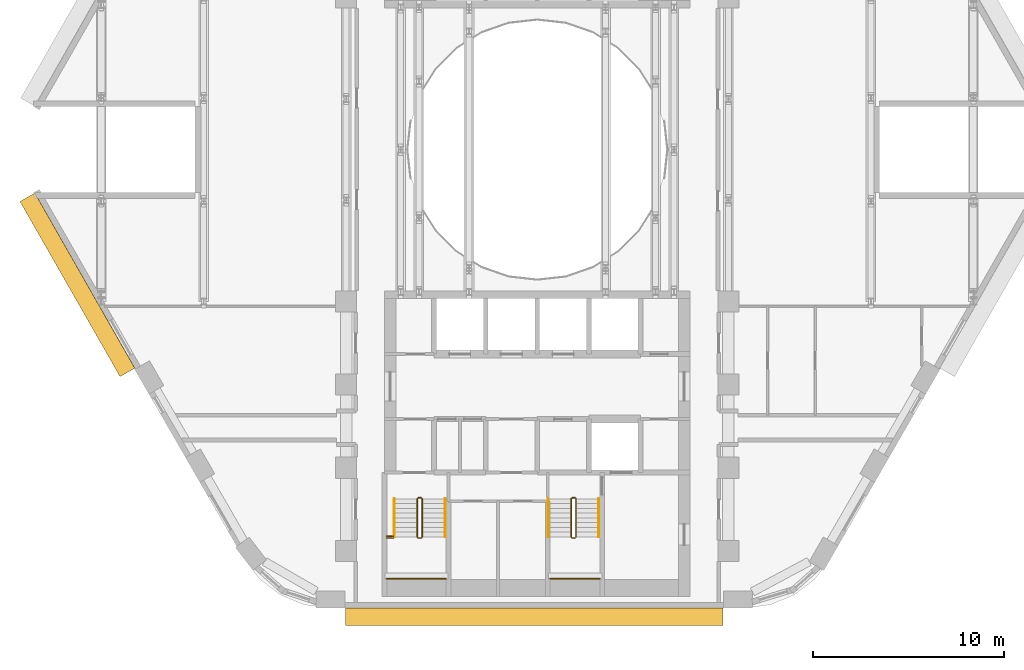
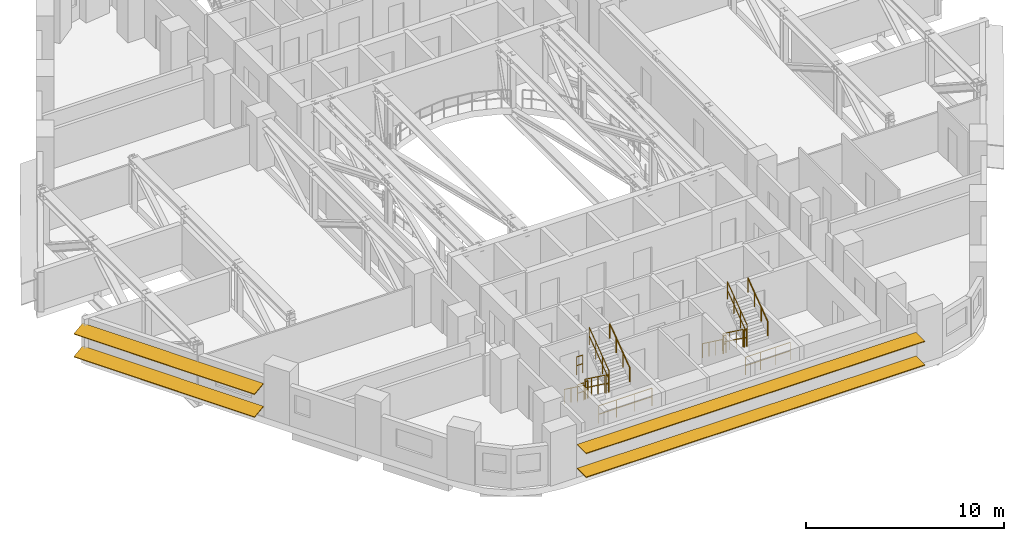
# One storey, part 16 of 18: 16 railings, 4 shading devices.
"""IFC4 building model written with IfcOpenShell, lengths in metres."""

from ifc_helpers import new_model, si_unit, direction, frame, origin, origin_2d, place, context, subcontext, project, spatial, rectangle, circle, extrude, material, material_profile, profile_set, type_object, element, save


model = new_model("IFC4")

# Units and contexts
model_context = context("Model", 3, precision=1e-05, world=origin(), true_north=direction((0.0, 1.0)))
body_context = subcontext(model_context, "Body", "Model", "MODEL_VIEW")
ifc_project = project(units=[si_unit("LENGTHUNIT", "METRE"), si_unit("AREAUNIT", "SQUARE_METRE"), si_unit("VOLUMEUNIT", "CUBIC_METRE"), si_unit("PLANEANGLEUNIT", "RADIAN"), si_unit("MASSUNIT", "GRAM", prefix="KILO")], contexts=[model_context])

# Site, building, storey
site_placement = place(None, origin())
site = spatial("IfcSite", under=ifc_project, at=site_placement, CompositionType="ELEMENT")
building_placement = place(site_placement, origin())
building = spatial("IfcBuilding", under=site, at=building_placement, Name="Nakaniwa Court", CompositionType="ELEMENT")
storey_placement = place(building_placement, frame((0.0, 0.0, 38.10009765625)))
storey = spatial("IfcBuildingStorey", under=building, at=storey_placement, Name="L09", CompositionType="ELEMENT", Elevation=38.10009765625)

# Shading devices
ifc_material_1 = material(Name="Perforated charcoal ceramic louvre blade")
ifc_material_profile = material_profile(ifc_material_1, rectangle(XDim=0.89990234375, YDim=0.050048828125, at=origin_2d()), Name="Perforated ceramic louvre blade")
ifc_profile_set = profile_set([ifc_material_profile], Name="Perforated charcoal ceramic louvre blade")
shading_device_type = type_object("IfcShadingDeviceType", Name="Perforated ceramic louvre blade", PredefinedType="JALOUSIE", material=ifc_profile_set)
for number, where, z_axis, x_axis, name in (
    (1, (53.3193359375, 77.50732421875, 0.5498046875), (0.495969556448, -0.868339909872, 0.0), (0.860712012886, 0.491612731843, 0.132256390257), "L09 perforated ceramic louvre blade w13 1"),
    (2, (53.3193359375, 77.50732421875, 1.95556640625), (0.495969556448, -0.868339909872, 0.0), (0.860712012886, 0.491612731843, 0.132256390257), "L09 perforated ceramic louvre blade w13 2"),
):
    element("IfcShadingDevice", number, at=place(storey_placement, frame(where, z_axis=z_axis, x_axis=x_axis)), inside=storey, type_object=shading_device_type, Name=name, PredefinedType="JALOUSIE", context=body_context, shape_type="SweptSolid", body=[
        extrude(rectangle(XDim=0.89990234375, YDim=0.050048828125, at=origin_2d()), origin(), (0.0, 0.0, 1.0), 10.555908203125),
    ])
for number, where, z_axis, x_axis, name in (
    (3, (69.97119140625, 55.550048828125, 0.5498046875), (1.0, 0.0, 0.0), (0.0, 1.0, 0.0), "L09 perforated ceramic louvre blade w18 1"),
    (4, (69.97119140625, 55.550048828125, 2.014892578125), (1.0, 0.0, 0.0), (0.0, 1.0, 0.0), "L09 perforated ceramic louvre blade w18 2"),
):
    element("IfcShadingDevice", number, at=place(storey_placement, frame(where, z_axis=z_axis, x_axis=x_axis)), inside=storey, type_object=shading_device_type, Name=name, PredefinedType="JALOUSIE", context=body_context, shape_type="SweptSolid", body=[
        extrude(rectangle(XDim=0.89990234375, YDim=0.050048828125, at=origin_2d()), origin(), (0.0, 0.0, 1.0), 19.739990234375),
    ])

# Railings
ifc_material_2 = material(Name="Black powder coated steel guard", Category="steel")
railing_type_1 = type_object("IfcRailingType", Name="Stair guard 1100", PredefinedType="GUARDRAIL", material=ifc_material_2)
railing_1_placement = place(storey_placement, frame((73.72509765625, 61.72509765625, 0.183349609375)))
element("IfcRailing", 5, at=railing_1_placement, inside=storey, type_object=railing_type_1, Name="L09 ST3 stair guard 1", PredefinedType="GUARDRAIL", context=body_context, shape_type="SweptSolid", body=[
    extrude(circle(Radius=0.02392578125, at=origin_2d()), frame((0.0, 0.0, 1.076171875), z_axis=(0.0, -0.806426902644, 0.591333789573), x_axis=(1.0, 0.0, 0.0)), (0.0, 0.0, 1.0), 2.47998046875),
    extrude(circle(Radius=0.02392578125, at=origin_2d()), frame((0.0, 0.0, 0.550048828125), z_axis=(0.0, -0.806426902644, 0.591333789573), x_axis=(1.0, 0.0, 0.0)), (0.0, 0.0, 1.0), 2.47998046875),
    extrude(circle(Radius=0.02099609375, at=origin_2d()), origin(), (0.0, 0.0, 1.0), 1.052001953125),
    extrude(circle(Radius=0.02099609375, at=origin_2d()), frame((0.0, -0.666748046875, 0.48876953125)), (0.0, 0.0, 1.0), 1.052001953125),
    extrude(circle(Radius=0.02099609375, at=origin_2d()), frame((0.0, -1.333251953125, 0.977783203125)), (0.0, 0.0, 1.0), 1.052001953125),
    extrude(circle(Radius=0.02099609375, at=origin_2d()), frame((0.0, -2.0, 1.466552734375)), (0.0, 0.0, 1.0), 1.052001953125),
])
railing_2_placement = place(storey_placement, frame((73.77490234375, 59.675048828125, 1.64990234375)))
element("IfcRailing", 6, at=railing_2_placement, inside=storey, type_object=railing_type_1, Name="L09 ST3 stair guard 2", PredefinedType="GUARDRAIL", context=body_context, shape_type="SweptSolid", body=[
    extrude(circle(Radius=0.02392578125, at=origin_2d()), frame((0.0, 0.0, 1.076171875), z_axis=(1.0, 0.0, 0.0), x_axis=(0.0, 1.0, 0.0)), (0.0, 0.0, 1.0), 0.150146484375),
    extrude(circle(Radius=0.02392578125, at=origin_2d()), frame((0.0, 0.0, 0.550048828125), z_axis=(1.0, 0.0, 0.0), x_axis=(0.0, 1.0, 0.0)), (0.0, 0.0, 1.0), 0.150146484375),
    extrude(circle(Radius=0.02099609375, at=origin_2d()), origin(), (0.0, 0.0, 1.0), 1.052001953125),
    extrude(circle(Radius=0.02099609375, at=origin_2d()), frame((0.150146484375, 0.0, 0.0)), (0.0, 0.0, 1.0), 1.052001953125),
])
railing_3_placement = place(storey_placement, frame((73.97509765625, 59.72509765625, 1.833251953125)))
element("IfcRailing", 7, at=railing_3_placement, inside=storey, type_object=railing_type_1, Name="L09 ST3 stair guard 3", PredefinedType="GUARDRAIL", context=body_context, shape_type="SweptSolid", body=[
    extrude(circle(Radius=0.02392578125, at=origin_2d()), frame((0.0, 0.0, 1.076171875), z_axis=(0.0, 0.806426902644, 0.591333789573), x_axis=(-1.0, 0.0, 0.0)), (0.0, 0.0, 1.0), 2.47998046875),
    extrude(circle(Radius=0.02392578125, at=origin_2d()), frame((0.0, 0.0, 0.550048828125), z_axis=(0.0, 0.806426902644, 0.591333789573), x_axis=(-1.0, 0.0, 0.0)), (0.0, 0.0, 1.0), 2.47998046875),
    extrude(circle(Radius=0.02099609375, at=origin_2d()), origin(), (0.0, 0.0, 1.0), 1.052001953125),
    extrude(circle(Radius=0.02099609375, at=origin_2d()), frame((0.0, 0.666748046875, 0.48876953125)), (0.0, 0.0, 1.0), 1.052001953125),
    extrude(circle(Radius=0.02099609375, at=origin_2d()), frame((0.0, 1.333251953125, 0.977783203125)), (0.0, 0.0, 1.0), 1.052001953125),
    extrude(circle(Radius=0.02099609375, at=origin_2d()), frame((0.0, 2.0, 1.466552734375)), (0.0, 0.0, 1.0), 1.052001953125),
])
railing_4_placement = place(storey_placement, frame((73.77490234375, 61.77490234375, 0.0)))
element("IfcRailing", 8, at=railing_4_placement, inside=storey, type_object=railing_type_1, Name="L09 ST3 stair guard 4", PredefinedType="GUARDRAIL", context=body_context, shape_type="SweptSolid", body=[
    extrude(circle(Radius=0.02392578125, at=origin_2d()), frame((0.0, 0.0, 1.076171875), z_axis=(1.0, 0.0, 0.0), x_axis=(0.0, 1.0, 0.0)), (0.0, 0.0, 1.0), 0.150146484375),
    extrude(circle(Radius=0.02392578125, at=origin_2d()), frame((0.0, 0.0, 0.550048828125), z_axis=(1.0, 0.0, 0.0), x_axis=(0.0, 1.0, 0.0)), (0.0, 0.0, 1.0), 0.150146484375),
    extrude(circle(Radius=0.02099609375, at=origin_2d()), origin(), (0.0, 0.0, 1.0), 1.052001953125),
    extrude(circle(Radius=0.02099609375, at=origin_2d()), frame((0.150146484375, 0.0, 0.0)), (0.0, 0.0, 1.0), 1.052001953125),
])
railing_5_placement = place(storey_placement, frame((72.125, 57.550048828125, 1.64990234375)))
element("IfcRailing", 9, at=railing_5_placement, inside=storey, type_object=railing_type_1, Name="L09 ST3 landing end guard 1", PredefinedType="GUARDRAIL", context=body_context, shape_type="SweptSolid", body=[
    extrude(circle(Radius=0.02392578125, at=origin_2d()), frame((0.0, 0.0, 1.076171875), z_axis=(1.0, 0.0, 0.0), x_axis=(0.0, 1.0, 0.0)), (0.0, 0.0, 1.0), 3.10009765625),
    extrude(circle(Radius=0.02392578125, at=origin_2d()), frame((0.0, 0.0, 0.550048828125), z_axis=(1.0, 0.0, 0.0), x_axis=(0.0, 1.0, 0.0)), (0.0, 0.0, 1.0), 3.10009765625),
    extrude(circle(Radius=0.02099609375, at=origin_2d()), origin(), (0.0, 0.0, 1.0), 1.052001953125),
    extrude(circle(Radius=0.02099609375, at=origin_2d()), frame((1.033447265625, 0.0, 0.0)), (0.0, 0.0, 1.0), 1.052001953125),
    extrude(circle(Radius=0.02099609375, at=origin_2d()), frame((2.066650390625, 0.0, 0.0)), (0.0, 0.0, 1.0), 1.052001953125),
    extrude(circle(Radius=0.02099609375, at=origin_2d()), frame((3.10009765625, 0.0, 0.0)), (0.0, 0.0, 1.0), 1.052001953125),
])
for number, where, name in (
    (10, (72.125, 59.675048828125, 1.64990234375), "L09 ST3 landing side guard 1W"),
    (11, (72.125, 59.77490234375, 3.2998046875), "L09 ST3 floor edge guard 1W"),
):
    element("IfcRailing", number, at=place(storey_placement, frame(where)), inside=storey, type_object=railing_type_1, Name=name, PredefinedType="GUARDRAIL", context=body_context, shape_type="SweptSolid", body=[
        extrude(circle(Radius=0.02392578125, at=origin_2d()), frame((0.0, 0.0, 1.076171875), z_axis=(1.0, 0.0, 0.0), x_axis=(0.0, 1.0, 0.0)), (0.0, 0.0, 1.0), 0.35009765625),
        extrude(circle(Radius=0.02392578125, at=origin_2d()), frame((0.0, 0.0, 0.550048828125), z_axis=(1.0, 0.0, 0.0), x_axis=(0.0, 1.0, 0.0)), (0.0, 0.0, 1.0), 0.35009765625),
        extrude(circle(Radius=0.02099609375, at=origin_2d()), origin(), (0.0, 0.0, 1.0), 1.052001953125),
        extrude(circle(Radius=0.02099609375, at=origin_2d()), frame((0.35009765625, 0.0, 0.0)), (0.0, 0.0, 1.0), 1.052001953125),
    ])
railing_6_placement = place(storey_placement, frame((81.77490234375, 61.72509765625, 0.183349609375)))
element("IfcRailing", 12, at=railing_6_placement, inside=storey, type_object=railing_type_1, Name="L09 ST4 stair guard 1", PredefinedType="GUARDRAIL", context=body_context, shape_type="SweptSolid", body=[
    extrude(circle(Radius=0.02392578125, at=origin_2d()), frame((0.0, 0.0, 1.076171875), z_axis=(0.0, -0.806426902644, 0.591333789573), x_axis=(1.0, 0.0, 0.0)), (0.0, 0.0, 1.0), 2.47998046875),
    extrude(circle(Radius=0.02392578125, at=origin_2d()), frame((0.0, 0.0, 0.550048828125), z_axis=(0.0, -0.806426902644, 0.591333789573), x_axis=(1.0, 0.0, 0.0)), (0.0, 0.0, 1.0), 2.47998046875),
    extrude(circle(Radius=0.02099609375, at=origin_2d()), origin(), (0.0, 0.0, 1.0), 1.052001953125),
    extrude(circle(Radius=0.02099609375, at=origin_2d()), frame((0.0, -0.666748046875, 0.48876953125)), (0.0, 0.0, 1.0), 1.052001953125),
    extrude(circle(Radius=0.02099609375, at=origin_2d()), frame((0.0, -1.333251953125, 0.977783203125)), (0.0, 0.0, 1.0), 1.052001953125),
    extrude(circle(Radius=0.02099609375, at=origin_2d()), frame((0.0, -2.0, 1.466552734375)), (0.0, 0.0, 1.0), 1.052001953125),
])
railing_7_placement = place(storey_placement, frame((81.824951171875, 59.675048828125, 1.64990234375)))
element("IfcRailing", 13, at=railing_7_placement, inside=storey, type_object=railing_type_1, Name="L09 ST4 stair guard 2", PredefinedType="GUARDRAIL", context=body_context, shape_type="SweptSolid", body=[
    extrude(circle(Radius=0.02392578125, at=origin_2d()), frame((0.0, 0.0, 1.076171875), z_axis=(1.0, 0.0, 0.0), x_axis=(0.0, 1.0, 0.0)), (0.0, 0.0, 1.0), 0.150146484375),
    extrude(circle(Radius=0.02392578125, at=origin_2d()), frame((0.0, 0.0, 0.550048828125), z_axis=(1.0, 0.0, 0.0), x_axis=(0.0, 1.0, 0.0)), (0.0, 0.0, 1.0), 0.150146484375),
    extrude(circle(Radius=0.02099609375, at=origin_2d()), origin(), (0.0, 0.0, 1.0), 1.052001953125),
    extrude(circle(Radius=0.02099609375, at=origin_2d()), frame((0.150146484375, 0.0, 0.0)), (0.0, 0.0, 1.0), 1.052001953125),
])
railing_8_placement = place(storey_placement, frame((82.02490234375, 59.72509765625, 1.833251953125)))
element("IfcRailing", 14, at=railing_8_placement, inside=storey, type_object=railing_type_1, Name="L09 ST4 stair guard 3", PredefinedType="GUARDRAIL", context=body_context, shape_type="SweptSolid", body=[
    extrude(circle(Radius=0.02392578125, at=origin_2d()), frame((0.0, 0.0, 1.076171875), z_axis=(0.0, 0.806426902644, 0.591333789573), x_axis=(-1.0, 0.0, 0.0)), (0.0, 0.0, 1.0), 2.47998046875),
    extrude(circle(Radius=0.02392578125, at=origin_2d()), frame((0.0, 0.0, 0.550048828125), z_axis=(0.0, 0.806426902644, 0.591333789573), x_axis=(-1.0, 0.0, 0.0)), (0.0, 0.0, 1.0), 2.47998046875),
    extrude(circle(Radius=0.02099609375, at=origin_2d()), origin(), (0.0, 0.0, 1.0), 1.052001953125),
    extrude(circle(Radius=0.02099609375, at=origin_2d()), frame((0.0, 0.666748046875, 0.48876953125)), (0.0, 0.0, 1.0), 1.052001953125),
    extrude(circle(Radius=0.02099609375, at=origin_2d()), frame((0.0, 1.333251953125, 0.977783203125)), (0.0, 0.0, 1.0), 1.052001953125),
    extrude(circle(Radius=0.02099609375, at=origin_2d()), frame((0.0, 2.0, 1.466552734375)), (0.0, 0.0, 1.0), 1.052001953125),
])
railing_9_placement = place(storey_placement, frame((81.824951171875, 61.77490234375, 0.0)))
element("IfcRailing", 15, at=railing_9_placement, inside=storey, type_object=railing_type_1, Name="L09 ST4 stair guard 4", PredefinedType="GUARDRAIL", context=body_context, shape_type="SweptSolid", body=[
    extrude(circle(Radius=0.02392578125, at=origin_2d()), frame((0.0, 0.0, 1.076171875), z_axis=(1.0, 0.0, 0.0), x_axis=(0.0, 1.0, 0.0)), (0.0, 0.0, 1.0), 0.150146484375),
    extrude(circle(Radius=0.02392578125, at=origin_2d()), frame((0.0, 0.0, 0.550048828125), z_axis=(1.0, 0.0, 0.0), x_axis=(0.0, 1.0, 0.0)), (0.0, 0.0, 1.0), 0.150146484375),
    extrude(circle(Radius=0.02099609375, at=origin_2d()), origin(), (0.0, 0.0, 1.0), 1.052001953125),
    extrude(circle(Radius=0.02099609375, at=origin_2d()), frame((0.150146484375, 0.0, 0.0)), (0.0, 0.0, 1.0), 1.052001953125),
])
railing_10_placement = place(storey_placement, frame((80.675048828125, 57.550048828125, 1.64990234375)))
element("IfcRailing", 16, at=railing_10_placement, inside=storey, type_object=railing_type_1, Name="L09 ST4 landing end guard 1", PredefinedType="GUARDRAIL", context=body_context, shape_type="SweptSolid", body=[
    extrude(circle(Radius=0.02392578125, at=origin_2d()), frame((0.0, 0.0, 1.076171875), z_axis=(1.0, 0.0, 0.0), x_axis=(0.0, 1.0, 0.0)), (0.0, 0.0, 1.0), 2.599853515625),
    extrude(circle(Radius=0.02392578125, at=origin_2d()), frame((0.0, 0.0, 0.550048828125), z_axis=(1.0, 0.0, 0.0), x_axis=(0.0, 1.0, 0.0)), (0.0, 0.0, 1.0), 2.599853515625),
    extrude(circle(Radius=0.02099609375, at=origin_2d()), origin(), (0.0, 0.0, 1.0), 1.052001953125),
    extrude(circle(Radius=0.02099609375, at=origin_2d()), frame((0.86669921875, 0.0, 0.0)), (0.0, 0.0, 1.0), 1.052001953125),
    extrude(circle(Radius=0.02099609375, at=origin_2d()), frame((1.733154296875, 0.0, 0.0)), (0.0, 0.0, 1.0), 1.052001953125),
    extrude(circle(Radius=0.02099609375, at=origin_2d()), frame((2.599853515625, 0.0, 0.0)), (0.0, 0.0, 1.0), 1.052001953125),
])
ifc_material_3 = material(Name="Black powder coated steel handrail", Category="steel")
railing_type_2 = type_object("IfcRailingType", Name="Stair handrail 900", PredefinedType="HANDRAIL", material=ifc_material_3)
railing_11_placement = place(storey_placement, frame((72.52490234375, 61.72509765625, 0.183349609375)))
element("IfcRailing", 17, at=railing_11_placement, inside=storey, type_object=railing_type_2, Name="L09 ST3 stair handrail 1", PredefinedType="HANDRAIL", context=body_context, shape_type="SweptSolid", body=[
    extrude(circle(Radius=0.02392578125, at=origin_2d()), frame((0.0, 0.0, 0.8759765625), z_axis=(0.0, -0.806426902644, 0.591333789573), x_axis=(1.0, 0.0, 0.0)), (0.0, 0.0, 1.0), 2.47998046875),
    extrude(circle(Radius=0.02099609375, at=origin_2d()), origin(), (0.0, 0.0, 1.0), 0.851806640625),
    extrude(circle(Radius=0.02099609375, at=origin_2d()), frame((0.0, -0.666748046875, 0.48876953125)), (0.0, 0.0, 1.0), 0.851806640625),
    extrude(circle(Radius=0.02099609375, at=origin_2d()), frame((0.0, -1.333251953125, 0.977783203125)), (0.0, 0.0, 1.0), 0.851806640625),
    extrude(circle(Radius=0.02099609375, at=origin_2d()), frame((0.0, -2.0, 1.466552734375)), (0.0, 0.0, 1.0), 0.851806640625),
])
railing_12_placement = place(storey_placement, frame((75.175048828125, 59.72509765625, 1.833251953125)))
element("IfcRailing", 18, at=railing_12_placement, inside=storey, type_object=railing_type_2, Name="L09 ST3 stair handrail 2", PredefinedType="HANDRAIL", context=body_context, shape_type="SweptSolid", body=[
    extrude(circle(Radius=0.02392578125, at=origin_2d()), frame((0.0, 0.0, 0.8759765625), z_axis=(0.0, 0.806426902644, 0.591333789573), x_axis=(-1.0, 0.0, 0.0)), (0.0, 0.0, 1.0), 2.47998046875),
    extrude(circle(Radius=0.02099609375, at=origin_2d()), origin(), (0.0, 0.0, 1.0), 0.851806640625),
    extrude(circle(Radius=0.02099609375, at=origin_2d()), frame((0.0, 0.666748046875, 0.48876953125)), (0.0, 0.0, 1.0), 0.851806640625),
    extrude(circle(Radius=0.02099609375, at=origin_2d()), frame((0.0, 1.333251953125, 0.977783203125)), (0.0, 0.0, 1.0), 0.851806640625),
    extrude(circle(Radius=0.02099609375, at=origin_2d()), frame((0.0, 2.0, 1.466552734375)), (0.0, 0.0, 1.0), 0.851806640625),
])
railing_13_placement = place(storey_placement, frame((80.574951171875, 61.72509765625, 0.183349609375)))
element("IfcRailing", 19, at=railing_13_placement, inside=storey, type_object=railing_type_2, Name="L09 ST4 stair handrail 1", PredefinedType="HANDRAIL", context=body_context, shape_type="SweptSolid", body=[
    extrude(circle(Radius=0.02392578125, at=origin_2d()), frame((0.0, 0.0, 0.8759765625), z_axis=(0.0, -0.806426902644, 0.591333789573), x_axis=(1.0, 0.0, 0.0)), (0.0, 0.0, 1.0), 2.47998046875),
    extrude(circle(Radius=0.02099609375, at=origin_2d()), origin(), (0.0, 0.0, 1.0), 0.851806640625),
    extrude(circle(Radius=0.02099609375, at=origin_2d()), frame((0.0, -0.666748046875, 0.48876953125)), (0.0, 0.0, 1.0), 0.851806640625),
    extrude(circle(Radius=0.02099609375, at=origin_2d()), frame((0.0, -1.333251953125, 0.977783203125)), (0.0, 0.0, 1.0), 0.851806640625),
    extrude(circle(Radius=0.02099609375, at=origin_2d()), frame((0.0, -2.0, 1.466552734375)), (0.0, 0.0, 1.0), 0.851806640625),
])
railing_14_placement = place(storey_placement, frame((83.22509765625, 59.72509765625, 1.833251953125)))
element("IfcRailing", 20, at=railing_14_placement, inside=storey, type_object=railing_type_2, Name="L09 ST4 stair handrail 2", PredefinedType="HANDRAIL", context=body_context, shape_type="SweptSolid", body=[
    extrude(circle(Radius=0.02392578125, at=origin_2d()), frame((0.0, 0.0, 0.8759765625), z_axis=(0.0, 0.806426902644, 0.591333789573), x_axis=(-1.0, 0.0, 0.0)), (0.0, 0.0, 1.0), 2.47998046875),
    extrude(circle(Radius=0.02099609375, at=origin_2d()), origin(), (0.0, 0.0, 1.0), 0.851806640625),
    extrude(circle(Radius=0.02099609375, at=origin_2d()), frame((0.0, 0.666748046875, 0.48876953125)), (0.0, 0.0, 1.0), 0.851806640625),
    extrude(circle(Radius=0.02099609375, at=origin_2d()), frame((0.0, 1.333251953125, 0.977783203125)), (0.0, 0.0, 1.0), 0.851806640625),
    extrude(circle(Radius=0.02099609375, at=origin_2d()), frame((0.0, 2.0, 1.466552734375)), (0.0, 0.0, 1.0), 0.851806640625),
])

save(model, "model.ifc")
